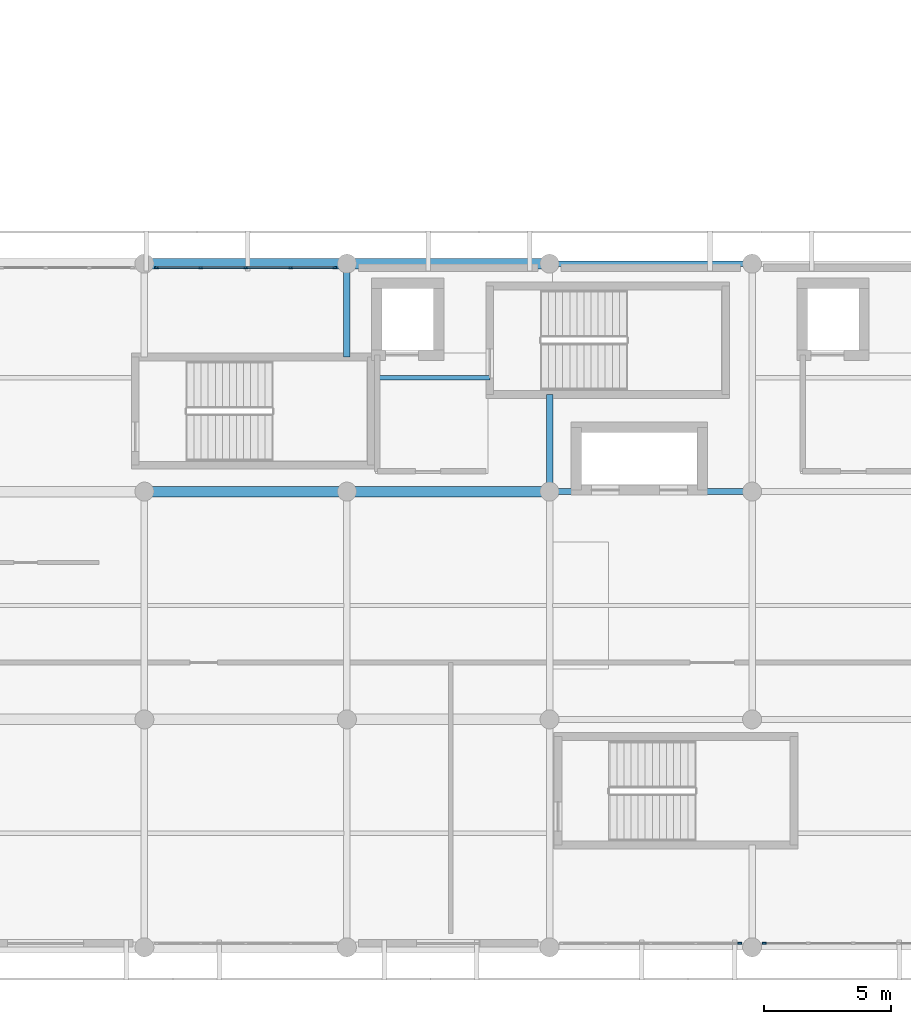
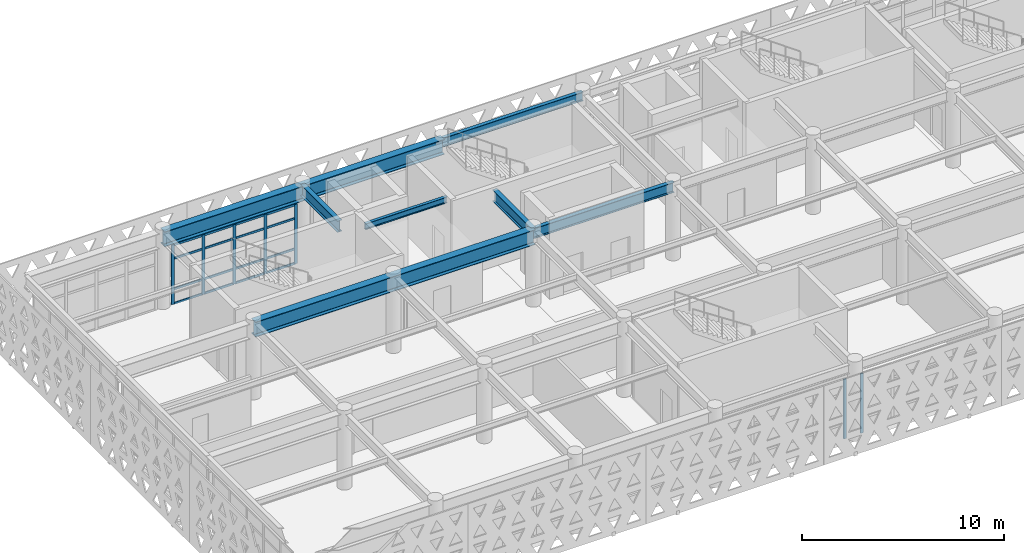
# One storey, part 6 of 33: 23 members, 7 beams, 3 elements without a shape of their own.
"""IFC4 building model written with IfcOpenShell, lengths in metres."""

from ifc_helpers import new_model, si_unit, direction, frame, origin, origin_2d, place, context, subcontext, project, spatial, rectangle, i_section, extrude, material, layer, layer_set, material_profile, profile_set, type_object, element, aggregate, save


model = new_model("IFC4")

# Units and contexts
model_context = context("Model", 3, precision=1e-05, world=origin(), true_north=direction((0.0, 1.0)))
body_context = subcontext(model_context, "Body", "Model", "MODEL_VIEW")
ifc_project = project(units=[si_unit("LENGTHUNIT", "METRE"), si_unit("AREAUNIT", "SQUARE_METRE"), si_unit("VOLUMEUNIT", "CUBIC_METRE"), si_unit("PLANEANGLEUNIT", "RADIAN"), si_unit("MASSUNIT", "GRAM", prefix="KILO")], contexts=[model_context])

# Site, building, storey
site_placement = place(None, origin())
site = spatial("IfcSite", under=ifc_project, at=site_placement, CompositionType="ELEMENT")
building_placement = place(site_placement, origin())
building = spatial("IfcBuilding", under=site, at=building_placement, Name="Tlacozan Convention Centre", CompositionType="ELEMENT")
storey_placement = place(building_placement, frame((0.0, 0.0, 16.199951171875)))
storey = spatial("IfcBuildingStorey", under=building, at=storey_placement, Name="L03", CompositionType="ELEMENT", Elevation=16.199951171875)

# Curtain wall, member
ifc_material_1 = material(Name="Dark Bronze Anodised Aluminium", Category="aluminium")
ifc_layer = layer(ifc_material_1, 0.159912109375)
ifc_layer_set = layer_set([ifc_layer], Name="Dark Bronze Anodised Aluminium")
curtain_wall_type = type_object("IfcCurtainWallType", Name="Unitised Congress L03 South CW04", PredefinedType="NOTDEFINED", material=ifc_layer_set)
curtain_wall_1_placement = place(storey_placement, origin())
curtain_wall_1 = element("IfcCurtainWall", 1, at=curtain_wall_1_placement, inside=storey, type_object=curtain_wall_type, Name="L03 CW-04 Run 103", PredefinedType="NOTDEFINED")
ifc_material_profile_1 = material_profile(ifc_material_1, rectangle(XDim=0.06494140625, YDim=0.159912109375, at=origin_2d()), Name="ALU 65x160")
ifc_profile_set_1 = profile_set([ifc_material_profile_1], Name="Dark Bronze Anodised Aluminium")
member_type_1 = type_object("IfcMemberType", Name="Curtain Wall Mullion 65x160", PredefinedType="MULLION", material=ifc_profile_set_1)
member_1_placement = place(storey_placement, frame((31.517578125, 0.159912109375, 0.0), z_axis=(0.0, 0.0, 1.0), x_axis=(0.0, 1.0, 0.0)))
member_1 = element("IfcMember", 2, at=member_1_placement, type_object=member_type_1, Name="CW-04 mullion 5", PredefinedType="MULLION", context=body_context, shape_type="SweptSolid", body=[
    extrude(rectangle(XDim=0.06494140625, YDim=0.159912109375, at=origin_2d()), origin(), (0.0, 0.0, 1.0), 3.60009765625),
])
aggregate(curtain_wall_1, [member_1])

curtain_wall_2_placement = place(storey_placement, origin())
curtain_wall_2 = element("IfcCurtainWall", 3, at=curtain_wall_2_placement, inside=storey, type_object=curtain_wall_type, Name="L03 CW-04 Run 104", PredefinedType="NOTDEFINED")
member_2_placement = place(storey_placement, frame((32.482421875, 0.159912109375, 0.0), z_axis=(0.0, 0.0, 1.0), x_axis=(0.0, 1.0, 0.0)))
member_2 = element("IfcMember", 4, at=member_2_placement, type_object=member_type_1, Name="CW-04 mullion 1", PredefinedType="MULLION", context=body_context, shape_type="SweptSolid", body=[
    extrude(rectangle(XDim=0.06494140625, YDim=0.159912109375, at=origin_2d()), origin(), (0.0, 0.0, 1.0), 3.60009765625),
])
aggregate(curtain_wall_2, [member_2])

# Curtain wall, members
curtain_wall_3_placement = place(storey_placement, origin())
curtain_wall_3 = element("IfcCurtainWall", 5, at=curtain_wall_3_placement, inside=storey, type_object=curtain_wall_type, Name="L03 CW-04 Run 116", PredefinedType="NOTDEFINED")
member_3_placement = place(storey_placement, frame((8.482421875, 26.840087890625, 0.0), z_axis=(0.0, 0.0, 1.0), x_axis=(0.0, 1.0, 0.0)))
member_3 = element("IfcMember", 6, at=member_3_placement, type_object=member_type_1, Name="CW-04 mullion 1", PredefinedType="MULLION", context=body_context, shape_type="SweptSolid", body=[
    extrude(rectangle(XDim=0.06494140625, YDim=0.159912109375, at=origin_2d()), origin(), (0.0, 0.0, 1.0), 3.60009765625),
])
member_4_placement = place(storey_placement, frame((10.22509765625, 26.840087890625, 0.0), z_axis=(0.0, 0.0, 1.0), x_axis=(0.0, 1.0, 0.0)))
member_4 = element("IfcMember", 7, at=member_4_placement, type_object=member_type_1, Name="CW-04 mullion 2", PredefinedType="MULLION", context=body_context, shape_type="SweptSolid", body=[
    extrude(rectangle(XDim=0.06494140625, YDim=0.159912109375, at=origin_2d()), origin(), (0.0, 0.0, 1.0), 3.60009765625),
])
member_5_placement = place(storey_placement, frame((12.0, 26.840087890625, 0.0), z_axis=(0.0, 0.0, 1.0), x_axis=(0.0, 1.0, 0.0)))
member_5 = element("IfcMember", 8, at=member_5_placement, type_object=member_type_1, Name="CW-04 mullion 3", PredefinedType="MULLION", context=body_context, shape_type="SweptSolid", body=[
    extrude(rectangle(XDim=0.06494140625, YDim=0.159912109375, at=origin_2d()), origin(), (0.0, 0.0, 1.0), 3.60009765625),
])
member_6_placement = place(storey_placement, frame((13.77490234375, 26.840087890625, 0.0), z_axis=(0.0, 0.0, 1.0), x_axis=(0.0, 1.0, 0.0)))
member_6 = element("IfcMember", 9, at=member_6_placement, type_object=member_type_1, Name="CW-04 mullion 4", PredefinedType="MULLION", context=body_context, shape_type="SweptSolid", body=[
    extrude(rectangle(XDim=0.06494140625, YDim=0.159912109375, at=origin_2d()), origin(), (0.0, 0.0, 1.0), 3.60009765625),
])
member_7_placement = place(storey_placement, frame((15.517578125, 26.840087890625, 0.0), z_axis=(0.0, 0.0, 1.0), x_axis=(0.0, 1.0, 0.0)))
member_7 = element("IfcMember", 10, at=member_7_placement, type_object=member_type_1, Name="CW-04 mullion 5", PredefinedType="MULLION", context=body_context, shape_type="SweptSolid", body=[
    extrude(rectangle(XDim=0.06494140625, YDim=0.159912109375, at=origin_2d()), origin(), (0.0, 0.0, 1.0), 3.60009765625),
])
ifc_material_profile_2 = material_profile(ifc_material_1, rectangle(XDim=0.06494140625, YDim=0.125, at=origin_2d()), Name="ALU 65x125")
ifc_profile_set_2 = profile_set([ifc_material_profile_2], Name="Dark Bronze Anodised Aluminium")
member_type_2 = type_object("IfcMemberType", Name="Curtain Wall Transom 65x125", PredefinedType="USERDEFINED", material=ifc_profile_set_2)
member_8_placement = place(storey_placement, frame((8.514892578125, 26.840087890625, 0.032470703125), z_axis=(1.0, 0.0, 0.0), x_axis=(0.0, 1.0, 0.0)))
member_8 = element("IfcMember", 11, at=member_8_placement, type_object=member_type_2, Name="CW-04 transom 1.1", ObjectType="TRANSOM", PredefinedType="USERDEFINED", context=body_context, shape_type="SweptSolid", body=[
    extrude(rectangle(XDim=0.06494140625, YDim=0.125, at=origin_2d()), origin(), (0.0, 0.0, 1.0), 1.677490234375),
])
member_9_placement = place(storey_placement, frame((8.514892578125, 26.840087890625, 0.900146484375), z_axis=(1.0, 0.0, 0.0), x_axis=(0.0, 1.0, 0.0)))
member_9 = element("IfcMember", 12, at=member_9_placement, type_object=member_type_2, Name="CW-04 transom 1.2", ObjectType="TRANSOM", PredefinedType="USERDEFINED", context=body_context, shape_type="SweptSolid", body=[
    extrude(rectangle(XDim=0.06494140625, YDim=0.125, at=origin_2d()), origin(), (0.0, 0.0, 1.0), 1.677490234375),
])
member_10_placement = place(storey_placement, frame((8.514892578125, 26.840087890625, 2.75), z_axis=(1.0, 0.0, 0.0), x_axis=(0.0, 1.0, 0.0)))
member_10 = element("IfcMember", 13, at=member_10_placement, type_object=member_type_2, Name="CW-04 transom 1.3", ObjectType="TRANSOM", PredefinedType="USERDEFINED", context=body_context, shape_type="SweptSolid", body=[
    extrude(rectangle(XDim=0.06494140625, YDim=0.125, at=origin_2d()), origin(), (0.0, 0.0, 1.0), 1.677490234375),
])
member_11_placement = place(storey_placement, frame((8.514892578125, 26.840087890625, 3.567626953125), z_axis=(1.0, 0.0, 0.0), x_axis=(0.0, 1.0, 0.0)))
member_11 = element("IfcMember", 14, at=member_11_placement, type_object=member_type_2, Name="CW-04 transom 1.4", ObjectType="TRANSOM", PredefinedType="USERDEFINED", context=body_context, shape_type="SweptSolid", body=[
    extrude(rectangle(XDim=0.06494140625, YDim=0.125, at=origin_2d()), origin(), (0.0, 0.0, 1.0), 1.677490234375),
])
member_12_placement = place(storey_placement, frame((10.257568359375, 26.840087890625, 0.032470703125), z_axis=(1.0, 0.0, 0.0), x_axis=(0.0, 1.0, 0.0)))
member_12 = element("IfcMember", 15, at=member_12_placement, type_object=member_type_2, Name="CW-04 transom 2.1", ObjectType="TRANSOM", PredefinedType="USERDEFINED", context=body_context, shape_type="SweptSolid", body=[
    extrude(rectangle(XDim=0.06494140625, YDim=0.125, at=origin_2d()), origin(), (0.0, 0.0, 1.0), 1.7099609375),
])
member_13_placement = place(storey_placement, frame((10.257568359375, 26.840087890625, 0.900146484375), z_axis=(1.0, 0.0, 0.0), x_axis=(0.0, 1.0, 0.0)))
member_13 = element("IfcMember", 16, at=member_13_placement, type_object=member_type_2, Name="CW-04 transom 2.2", ObjectType="TRANSOM", PredefinedType="USERDEFINED", context=body_context, shape_type="SweptSolid", body=[
    extrude(rectangle(XDim=0.06494140625, YDim=0.125, at=origin_2d()), origin(), (0.0, 0.0, 1.0), 1.7099609375),
])
member_14_placement = place(storey_placement, frame((10.257568359375, 26.840087890625, 2.75), z_axis=(1.0, 0.0, 0.0), x_axis=(0.0, 1.0, 0.0)))
member_14 = element("IfcMember", 17, at=member_14_placement, type_object=member_type_2, Name="CW-04 transom 2.3", ObjectType="TRANSOM", PredefinedType="USERDEFINED", context=body_context, shape_type="SweptSolid", body=[
    extrude(rectangle(XDim=0.06494140625, YDim=0.125, at=origin_2d()), origin(), (0.0, 0.0, 1.0), 1.7099609375),
])
member_15_placement = place(storey_placement, frame((10.257568359375, 26.840087890625, 3.567626953125), z_axis=(1.0, 0.0, 0.0), x_axis=(0.0, 1.0, 0.0)))
member_15 = element("IfcMember", 18, at=member_15_placement, type_object=member_type_2, Name="CW-04 transom 2.4", ObjectType="TRANSOM", PredefinedType="USERDEFINED", context=body_context, shape_type="SweptSolid", body=[
    extrude(rectangle(XDim=0.06494140625, YDim=0.125, at=origin_2d()), origin(), (0.0, 0.0, 1.0), 1.7099609375),
])
member_16_placement = place(storey_placement, frame((12.032470703125, 26.840087890625, 0.032470703125), z_axis=(1.0, 0.0, 0.0), x_axis=(0.0, 1.0, 0.0)))
member_16 = element("IfcMember", 19, at=member_16_placement, type_object=member_type_2, Name="CW-04 transom 3.1", ObjectType="TRANSOM", PredefinedType="USERDEFINED", context=body_context, shape_type="SweptSolid", body=[
    extrude(rectangle(XDim=0.06494140625, YDim=0.125, at=origin_2d()), origin(), (0.0, 0.0, 1.0), 1.7099609375),
])
member_17_placement = place(storey_placement, frame((12.032470703125, 26.840087890625, 0.900146484375), z_axis=(1.0, 0.0, 0.0), x_axis=(0.0, 1.0, 0.0)))
member_17 = element("IfcMember", 20, at=member_17_placement, type_object=member_type_2, Name="CW-04 transom 3.2", ObjectType="TRANSOM", PredefinedType="USERDEFINED", context=body_context, shape_type="SweptSolid", body=[
    extrude(rectangle(XDim=0.06494140625, YDim=0.125, at=origin_2d()), origin(), (0.0, 0.0, 1.0), 1.7099609375),
])
member_18_placement = place(storey_placement, frame((12.032470703125, 26.840087890625, 2.75), z_axis=(1.0, 0.0, 0.0), x_axis=(0.0, 1.0, 0.0)))
member_18 = element("IfcMember", 21, at=member_18_placement, type_object=member_type_2, Name="CW-04 transom 3.3", ObjectType="TRANSOM", PredefinedType="USERDEFINED", context=body_context, shape_type="SweptSolid", body=[
    extrude(rectangle(XDim=0.06494140625, YDim=0.125, at=origin_2d()), origin(), (0.0, 0.0, 1.0), 1.7099609375),
])
member_19_placement = place(storey_placement, frame((12.032470703125, 26.840087890625, 3.567626953125), z_axis=(1.0, 0.0, 0.0), x_axis=(0.0, 1.0, 0.0)))
member_19 = element("IfcMember", 22, at=member_19_placement, type_object=member_type_2, Name="CW-04 transom 3.4", ObjectType="TRANSOM", PredefinedType="USERDEFINED", context=body_context, shape_type="SweptSolid", body=[
    extrude(rectangle(XDim=0.06494140625, YDim=0.125, at=origin_2d()), origin(), (0.0, 0.0, 1.0), 1.7099609375),
])
member_20_placement = place(storey_placement, frame((13.8076171875, 26.840087890625, 0.032470703125), z_axis=(1.0, 0.0, 0.0), x_axis=(0.0, 1.0, 0.0)))
member_20 = element("IfcMember", 23, at=member_20_placement, type_object=member_type_2, Name="CW-04 transom 4.1", ObjectType="TRANSOM", PredefinedType="USERDEFINED", context=body_context, shape_type="SweptSolid", body=[
    extrude(rectangle(XDim=0.06494140625, YDim=0.125, at=origin_2d()), origin(), (0.0, 0.0, 1.0), 1.677490234375),
])
member_21_placement = place(storey_placement, frame((13.8076171875, 26.840087890625, 0.900146484375), z_axis=(1.0, 0.0, 0.0), x_axis=(0.0, 1.0, 0.0)))
member_21 = element("IfcMember", 24, at=member_21_placement, type_object=member_type_2, Name="CW-04 transom 4.2", ObjectType="TRANSOM", PredefinedType="USERDEFINED", context=body_context, shape_type="SweptSolid", body=[
    extrude(rectangle(XDim=0.06494140625, YDim=0.125, at=origin_2d()), origin(), (0.0, 0.0, 1.0), 1.677490234375),
])
member_22_placement = place(storey_placement, frame((13.8076171875, 26.840087890625, 2.75), z_axis=(1.0, 0.0, 0.0), x_axis=(0.0, 1.0, 0.0)))
member_22 = element("IfcMember", 25, at=member_22_placement, type_object=member_type_2, Name="CW-04 transom 4.3", ObjectType="TRANSOM", PredefinedType="USERDEFINED", context=body_context, shape_type="SweptSolid", body=[
    extrude(rectangle(XDim=0.06494140625, YDim=0.125, at=origin_2d()), origin(), (0.0, 0.0, 1.0), 1.677490234375),
])
member_23_placement = place(storey_placement, frame((13.8076171875, 26.840087890625, 3.567626953125), z_axis=(1.0, 0.0, 0.0), x_axis=(0.0, 1.0, 0.0)))
member_23 = element("IfcMember", 26, at=member_23_placement, type_object=member_type_2, Name="CW-04 transom 4.4", ObjectType="TRANSOM", PredefinedType="USERDEFINED", context=body_context, shape_type="SweptSolid", body=[
    extrude(rectangle(XDim=0.06494140625, YDim=0.125, at=origin_2d()), origin(), (0.0, 0.0, 1.0), 1.677490234375),
])
aggregate(curtain_wall_3, [member_3, member_4, member_5, member_6, member_7, member_8, member_9, member_10, member_11, member_12, member_13, member_14, member_15, member_16, member_17, member_18, member_19, member_20, member_21, member_22, member_23])

# Beams
ifc_material_2 = material(Name="Steel ASTM A992 Grade 50", Category="steel")
ifc_material_profile_3 = material_profile(ifc_material_2, i_section(OverallWidth=0.22900390625, OverallDepth=0.612060546875, WebThickness=0.011962890625, FlangeThickness=0.01953125, FilletRadius=0.012939453125, at=origin_2d()), Name="IR 610x125.0")
ifc_profile_set_3 = profile_set([ifc_material_profile_3], Name="Steel ASTM A992 Grade 50")
beam_type_1 = type_object("IfcBeamType", Name="Floor Beam IR 610x125", PredefinedType="BEAM", material=ifc_profile_set_3)
beam_1_placement = place(storey_placement, frame((24.0, 18.0, 4.254150390625), z_axis=(1.0, 0.0, 0.0), x_axis=(0.0, 1.0, 0.0)))
element("IfcBeam", 27, at=beam_1_placement, inside=storey, type_object=beam_type_1, Name="L03 Floor Beam IR 610x125 586", PredefinedType="BEAM", context=body_context, shape_type="SweptSolid", body=[
    extrude(i_section(OverallWidth=0.22900390625, OverallDepth=0.612060546875, WebThickness=0.011962890625, FlangeThickness=0.01953125, FilletRadius=0.012939453125, at=origin_2d()), origin(), (0.0, 0.0, 1.0), 8.0),
])
ifc_material_profile_4 = material_profile(ifc_material_2, i_section(OverallWidth=0.256103515625, OverallDepth=0.693115234375, WebThickness=0.014404296875, FlangeThickness=0.023681640625, FilletRadius=0.014892578125, at=origin_2d()), Name="IR 686x170.0")
ifc_profile_set_4 = profile_set([ifc_material_profile_4], Name="Steel ASTM A992 Grade 50")
beam_type_2 = type_object("IfcBeamType", Name="Girder Steel IR 686x170", PredefinedType="BEAM", material=ifc_profile_set_4)
beam_2_placement = place(storey_placement, frame((16.0, 23.320068359375, 4.213623046875), z_axis=(0.0, 1.0, 0.0), x_axis=(-1.0, 0.0, 0.0)))
element("IfcBeam", 28, at=beam_2_placement, inside=storey, type_object=beam_type_2, Name="L03 Girder Steel IR 686x170 542", PredefinedType="BEAM", context=body_context, shape_type="SweptSolid", body=[
    extrude(i_section(OverallWidth=0.256103515625, OverallDepth=0.693115234375, WebThickness=0.014404296875, FlangeThickness=0.023681640625, FilletRadius=0.014892578125, at=origin_2d()), origin(), (0.0, 0.0, 1.0), 3.679931640625),
])
beam_3_placement = place(storey_placement, frame((24.0, 18.0, 4.213623046875), z_axis=(0.0, 1.0, 0.0), x_axis=(-1.0, 0.0, 0.0)))
element("IfcBeam", 29, at=beam_3_placement, inside=storey, type_object=beam_type_2, Name="L03 Girder Steel IR 686x170 545", PredefinedType="BEAM", context=body_context, shape_type="SweptSolid", body=[
    extrude(i_section(OverallWidth=0.256103515625, OverallDepth=0.693115234375, WebThickness=0.014404296875, FlangeThickness=0.023681640625, FilletRadius=0.014892578125, at=origin_2d()), origin(), (0.0, 0.0, 1.0), 3.840087890625),
])
ifc_material_profile_5 = material_profile(ifc_material_2, i_section(OverallWidth=0.2109375, OverallDepth=0.5390625, WebThickness=0.01171875, FlangeThickness=0.018798828125, FilletRadius=0.012939453125, at=origin_2d()), Name="IR 533x109.0")
ifc_profile_set_5 = profile_set([ifc_material_profile_5], Name="Steel ASTM A992 Grade 50")
beam_type_3 = type_object("IfcBeamType", Name="Perimeter Spandrel IR 533x109", PredefinedType="SPANDREL", material=ifc_profile_set_5)
beam_4_placement = place(storey_placement, frame((24.0, 27.0, 4.29052734375), z_axis=(1.0, 0.0, 0.0), x_axis=(0.0, 1.0, 0.0)))
element("IfcBeam", 30, at=beam_4_placement, inside=storey, type_object=beam_type_3, Name="L03 Perimeter Spandrel IR 533x109 587", PredefinedType="SPANDREL", context=body_context, shape_type="SweptSolid", body=[
    extrude(i_section(OverallWidth=0.2109375, OverallDepth=0.5390625, WebThickness=0.01171875, FlangeThickness=0.018798828125, FilletRadius=0.012939453125, at=origin_2d()), origin(), (0.0, 0.0, 1.0), 8.0),
])
ifc_material_profile_6 = material_profile(ifc_material_2, i_section(OverallWidth=0.173095703125, OverallDepth=0.364013671875, WebThickness=0.009033203125, FlangeThickness=0.015625, FilletRadius=0.010009765625, at=origin_2d()), Name="IR 356x67.1")
ifc_profile_set_6 = profile_set([ifc_material_profile_6], Name="Steel ASTM A992 Grade 50")
beam_type_4 = type_object("IfcBeamType", Name="Secondary Joist IR 356x67.1", PredefinedType="JOIST", material=ifc_profile_set_6)
beam_5_placement = place(storey_placement, frame((16.9599609375, 22.5, 4.3779296875), z_axis=(1.0, 0.0, 0.0), x_axis=(0.0, 1.0, 0.0)))
element("IfcBeam", 31, at=beam_5_placement, inside=storey, type_object=beam_type_4, Name="L03 Secondary Joist IR 356x67.1 627", PredefinedType="JOIST", context=body_context, shape_type="SweptSolid", body=[
    extrude(i_section(OverallWidth=0.173095703125, OverallDepth=0.364013671875, WebThickness=0.009033203125, FlangeThickness=0.015625, FilletRadius=0.010009765625, at=origin_2d()), origin(), (0.0, 0.0, 1.0), 4.679931640625),
])
ifc_material_profile_7 = material_profile(ifc_material_2, i_section(OverallWidth=0.41796875, OverallDepth=0.912109375, WebThickness=0.019287109375, FlangeThickness=0.031982421875, FilletRadius=0.02001953125, at=origin_2d()), Name="IR 914x342.0")
ifc_profile_set_7 = profile_set([ifc_material_profile_7], Name="Steel ASTM A992 Grade 50")
beam_type_5 = type_object("IfcBeamType", Name="Transfer Girder IR 914x342", PredefinedType="BEAM", material=ifc_profile_set_7)
for number, where, z_axis, x_axis, name in (
    (32, (24.0, 18.0, 4.10400390625), (-1.0, 0.0, 0.0), (0.0, -1.0, 0.0), "L03 Transfer Girder IR 914x342 580"),
    (33, (24.0, 27.0, 4.10400390625), (-1.0, 0.0, 0.0), (0.0, -1.0, 0.0), "L03 Transfer Girder IR 914x342 582"),
):
    element("IfcBeam", number, at=place(storey_placement, frame(where, z_axis=z_axis, x_axis=x_axis)), inside=storey, type_object=beam_type_5, Name=name, PredefinedType="BEAM", context=body_context, shape_type="SweptSolid", body=[
        extrude(i_section(OverallWidth=0.41796875, OverallDepth=0.912109375, WebThickness=0.019287109375, FlangeThickness=0.031982421875, FilletRadius=0.02001953125, at=origin_2d()), origin(), (0.0, 0.0, 1.0), 16.0),
    ])

save(model, "model.ifc")
